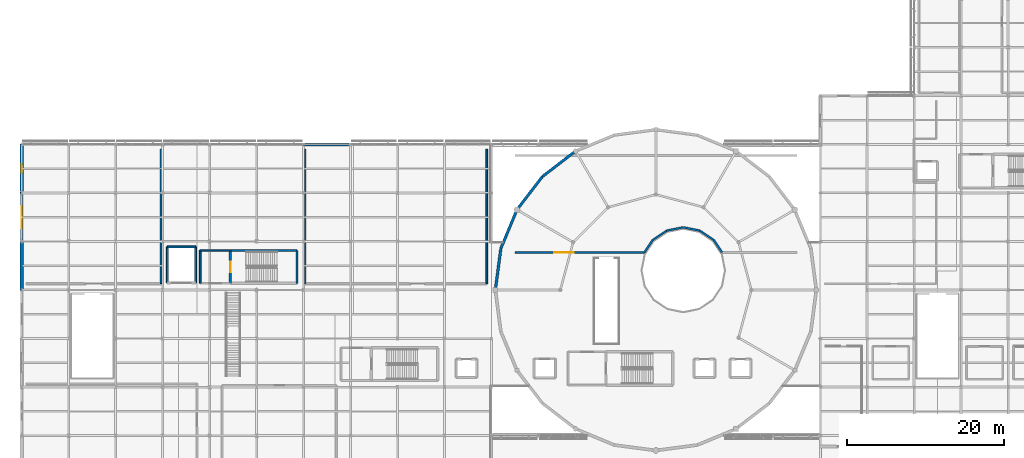
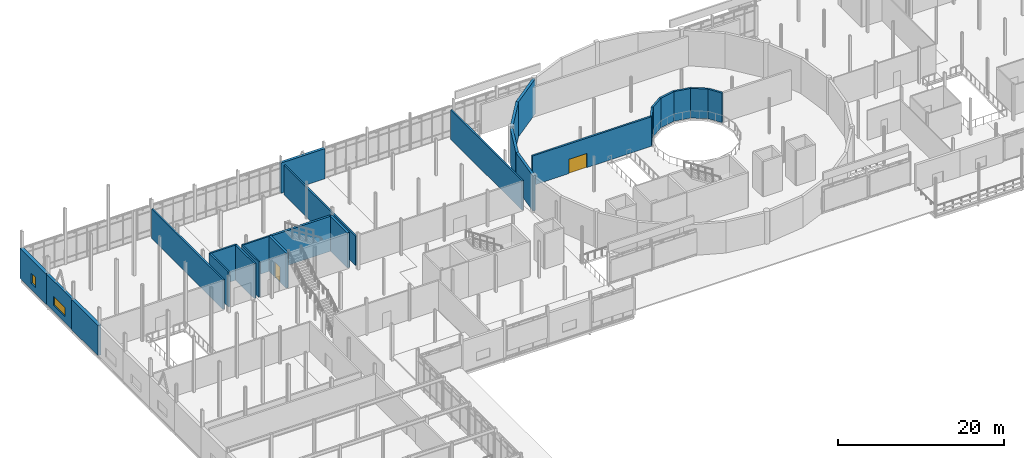
# One storey, part 69 of 105: 26 walls, 2 doors, 2 windows, 4 openings.
"""IFC4 building model written with IfcOpenShell, lengths in metres."""

from ifc_helpers import new_model, si_unit, direction, frame, frame_2d, origin, place, context, subcontext, project, spatial, rectangle, extrude, material, layer, layer_set, type_object, element, fill, save


model = new_model("IFC4")

# Units and contexts
model_context = context("Model", 3, precision=1e-05, world=origin(), true_north=direction((0.0, 1.0)))
body_context = subcontext(model_context, "Body", "Model", "MODEL_VIEW")
ifc_project = project(units=[si_unit("LENGTHUNIT", "METRE"), si_unit("AREAUNIT", "SQUARE_METRE"), si_unit("VOLUMEUNIT", "CUBIC_METRE"), si_unit("PLANEANGLEUNIT", "RADIAN"), si_unit("MASSUNIT", "GRAM", prefix="KILO")], contexts=[model_context])

# Site, building, storey
site_placement = place(None, origin())
site = spatial("IfcSite", under=ifc_project, at=site_placement, CompositionType="ELEMENT")
building_placement = place(site_placement, origin())
building = spatial("IfcBuilding", under=site, at=building_placement, Name="Mirzam Square Science Centre", CompositionType="ELEMENT")
storey_placement = place(building_placement, frame((0.0, 0.0, 5.39990234375)))
storey = spatial("IfcBuildingStorey", under=building, at=storey_placement, Name="L01", CompositionType="ELEMENT", Elevation=5.39990234375)

# Wall
ifc_material_1 = material(Name="Concrete C45/55", Category="concrete")
ifc_layer_1 = layer(ifc_material_1, 0.300048828125)
ifc_layer_set_1 = layer_set([ifc_layer_1], Name="W-CORE-300")
wall_type_1 = type_object("IfcWallType", Name="W-CORE-300", PredefinedType="SHEAR", material=ifc_layer_set_1)
wall_1_placement = place(storey_placement, frame((35.159912109375, 67.050048828125, 0.0), z_axis=(0.0, 0.0, 1.0), x_axis=(-1.0, 0.0, 0.0)))
element("IfcWall", 1, at=wall_1_placement, inside=storey, type_object=wall_type_1, Name="L01 CORE-2 north wall", PredefinedType="SHEAR", context=body_context, shape_type="SweptSolid", body=[
    extrude(rectangle(XDim=8.52001953125, YDim=0.300048828125, at=frame_2d((4.260009765625, 0.0))), origin(), (0.0, 0.0, 1.0), 5.150146484375),
])

# Wall, opening, door
wall_2_placement = place(storey_placement, frame((26.639892578125, 67.050048828125, 0.0), z_axis=(0.0, 0.0, 1.0), x_axis=(0.0, -1.0, 0.0)))
wall_2 = element("IfcWall", 2, at=wall_2_placement, inside=storey, type_object=wall_type_1, Name="L01 CORE-2 west wall", PredefinedType="SHEAR", context=body_context, shape_type="SweptSolid", body=[
    extrude(rectangle(XDim=4.2099609375, YDim=0.300048828125, at=frame_2d((2.10498046875, 0.0))), origin(), (0.0, 0.0, 1.0), 5.150146484375),
])
opening_1_placement = place(wall_2_placement, frame((1.429931640625, 0.0, 0.0)))
opening_1 = element("IfcOpeningElement", 3, at=opening_1_placement, cuts=wall_2, Name="Opening DS-01", PredefinedType="OPENING", context=body_context, shape_type="SweptSolid", body=[
    extrude(rectangle(XDim=1.35009765625, YDim=2.199951171875, at=frame_2d((0.675048828125, 1.10009765625))), frame((0.0, 0.159912109375, 0.0), z_axis=(0.0, -1.0, 0.0), x_axis=(1.0, 0.0, 0.0)), (0.0, 0.0, 1.0), 0.320068359375),
])
ifc_material_2 = material(Name="Fire-Rated Powder-Coated Architectural Steel Door", Category="steel")
door_type_1 = type_object("IfcDoorType", Name="DR-STAIR-1350x2200", OperationType="NOTDEFINED", PredefinedType="DOOR", material=ifc_material_2)
door_1_placement = place(opening_1_placement, origin())
door_1 = element("IfcDoor", 4, at=door_1_placement, inside=storey, type_object=door_type_1, Name="DRS-2-L01", OperationType="SINGLE_SWING_RIGHT", OverallHeight=2.199951171875, OverallWidth=1.35009765625, PredefinedType="DOOR", context=body_context, shape_type="SweptSolid", body=[
    extrude(rectangle(XDim=1.35009765625, YDim=2.199951171875, at=frame_2d((0.675048828125, 1.10009765625))), frame((0.0, 0.02490234375, 0.0), z_axis=(0.0, -1.0, 0.0), x_axis=(1.0, 0.0, 0.0)), (0.0, 0.0, 1.0), 0.050048828125),
])
fill(opening_1, door_1)

# Walls
wall_3_placement = place(storey_placement, frame((35.159912109375, 62.840087890625, 0.0), z_axis=(0.0, 0.0, 1.0), x_axis=(0.0, 1.0, 0.0)))
element("IfcWall", 5, at=wall_3_placement, inside=storey, type_object=wall_type_1, Name="L01 CORE-2 east wall", PredefinedType="SHEAR", context=body_context, shape_type="SweptSolid", body=[
    extrude(rectangle(XDim=4.2099609375, YDim=0.300048828125, at=frame_2d((2.10498046875, 0.0))), origin(), (0.0, 0.0, 1.0), 5.150146484375),
])
ifc_layer_2 = layer(ifc_material_1, 0.35009765625)
ifc_layer_set_2 = layer_set([ifc_layer_2], Name="W-DRUM-350")
wall_type_2 = type_object("IfcWallType", Name="W-DRUM-350", PredefinedType="SHEAR", material=ifc_layer_set_2)
for number, where, z_axis, x_axis, name in (
    (6, (70.75, 79.75341796875, 0.0), (0.0, 0.0, 1.0), (-0.793349293227, -0.60876670321, 0.0), "L01 planetarium drum wall 09"),
    (7, (66.50439453125, 76.49560546875, 0.0), (0.0, 0.0, 1.0), (-0.60876670321, -0.793349293227, 0.0), "L01 planetarium drum wall 10"),
    (8, (63.24658203125, 72.25, 0.0), (0.0, 0.0, 1.0), (-0.382713071139, -0.923867255172, 0.0), "L01 planetarium drum wall 11"),
):
    element("IfcWall", number, at=place(storey_placement, frame(where, z_axis=z_axis, x_axis=x_axis)), inside=storey, type_object=wall_type_2, Name=name, PredefinedType="SHEAR", context=body_context, shape_type="SweptSolid", body=[
        extrude(rectangle(XDim=5.3515625, YDim=0.35009765625, at=frame_2d((2.67578125, 0.0))), origin(), (0.0, 0.0, 1.0), 5.150146484375),
    ])
wall_4_placement = place(storey_placement, frame((61.198486328125, 67.305908203125, 0.0), z_axis=(0.0, 0.0, 1.0), x_axis=(-0.130517056518, -0.991446064069, 0.0)))
element("IfcWall", 9, at=wall_4_placement, inside=storey, type_object=wall_type_2, Name="L01 planetarium drum wall 12", PredefinedType="SHEAR", context=body_context, shape_type="SweptSolid", body=[
    extrude(rectangle(XDim=5.351806640625, YDim=0.35009765625, at=frame_2d((2.67578125, 0.0))), origin(), (0.0, 0.0, 1.0), 5.150146484375),
])
ifc_material_3 = material(Name="Honed Qatari Limestone Concrete C40/50", Category="masonry")
ifc_layer_3 = layer(ifc_material_3, 0.449951171875)
ifc_layer_set_3 = layer_set([ifc_layer_3], Name="W-EXT-LIME-450")
wall_type_3 = type_object("IfcWallType", Name="W-EXT-LIME-450", PredefinedType="SOLIDWALL", material=ifc_layer_set_3)
wall_5_placement = place(storey_placement, frame((0.0, 68.27490234375, 0.0), z_axis=(0.0, 0.0, 1.0), x_axis=(0.0, -1.0, 0.0)))
element("IfcWall", 10, at=wall_5_placement, inside=storey, type_object=wall_type_3, Name="L01 external wall EW-WDG-W-L01-11", PredefinedType="SOLIDWALL", context=body_context, shape_type="SweptSolid", body=[
    extrude(rectangle(XDim=6.349853515625, YDim=0.449951171875, at=frame_2d((3.1748046875, 0.0))), origin(), (0.0, 0.0, 1.0), 4.440185546875),
])

# Wall, opening, window
wall_6_placement = place(storey_placement, frame((0.0, 80.675048828125, 0.0), z_axis=(0.0, 0.0, 1.0), x_axis=(0.0, -1.0, 0.0)))
wall_6 = element("IfcWall", 11, at=wall_6_placement, inside=storey, type_object=wall_type_3, Name="L01 external wall EW-WDG-W-L01-13", PredefinedType="SOLIDWALL", context=body_context, shape_type="SweptSolid", body=[
    extrude(rectangle(XDim=6.35009765625, YDim=0.449951171875, at=frame_2d((3.175048828125, 0.0))), origin(), (0.0, 0.0, 1.0), 4.440185546875),
])
opening_2_placement = place(wall_6_placement, frame((2.625, 0.0, 0.89990234375)))
opening_2 = element("IfcOpeningElement", 12, at=opening_2_placement, cuts=wall_6, Name="Opening W-12", PredefinedType="OPENING", context=body_context, shape_type="SweptSolid", body=[
    extrude(rectangle(XDim=1.10009765625, YDim=1.5, at=frame_2d((0.550048828125, 0.75))), frame((0.0, 0.23486328125, 0.0), z_axis=(0.0, -1.0, 0.0), x_axis=(1.0, 0.0, 0.0)), (0.0, 0.0, 1.0), 0.469970703125),
])
ifc_material_4 = material(Name="Thermally Broken Bronze Aluminium and Low-E Glass", Category="aluminium")
window_type_1 = type_object("IfcWindowType", Name="WIN-1100x1500", PartitioningType="SINGLE_PANEL", PredefinedType="WINDOW", material=ifc_material_4)
window_1_placement = place(opening_2_placement, origin())
window_1 = element("IfcWindow", 13, at=window_1_placement, inside=storey, type_object=window_type_1, Name="L01 solar window 012", OverallHeight=1.5, OverallWidth=1.10009765625, PartitioningType="SINGLE_PANEL", PredefinedType="WINDOW", context=body_context, shape_type="SweptSolid", body=[
    extrude(rectangle(XDim=1.10009765625, YDim=1.5, at=frame_2d((0.550048828125, 0.75))), frame((0.0, 0.030029296875, 0.0), z_axis=(0.0, -1.0, 0.0), x_axis=(1.0, 0.0, 0.0)), (0.0, 0.0, 1.0), 0.06005859375),
])
fill(opening_2, window_1)

# Wall
ifc_material_5 = material(Name="Standing-Seam Zinc-Clad Concrete Backup C40/50", Category="concrete")
ifc_layer_4 = layer(ifc_material_5, 0.35009765625)
ifc_layer_set_4 = layer_set([ifc_layer_4], Name="W-EXT-METAL-350")
wall_type_4 = type_object("IfcWallType", Name="W-EXT-METAL-350", PredefinedType="SOLIDWALL", material=ifc_layer_set_4)
wall_7_placement = place(storey_placement, frame((42.074951171875, 80.60009765625, 0.0), z_axis=(0.0, 0.0, 1.0), x_axis=(-1.0, 0.0, 0.0)))
element("IfcWall", 14, at=wall_7_placement, inside=storey, type_object=wall_type_4, Name="L01 external wall EW-WDG-N-L01-07", PredefinedType="SOLIDWALL", context=body_context, shape_type="SweptSolid", body=[
    extrude(rectangle(XDim=6.14990234375, YDim=0.35009765625, at=frame_2d((3.074951171875, 0.0))), origin(), (0.0, 0.0, 1.0), 4.440185546875),
])

# Wall, opening, window
wall_8_placement = place(storey_placement, frame((0.0, 74.47509765625, 0.0), z_axis=(0.0, 0.0, 1.0), x_axis=(0.0, -1.0, 0.0)))
wall_8 = element("IfcWall", 15, at=wall_8_placement, inside=storey, type_object=wall_type_4, Name="L01 external wall EW-WDG-W-L01-12", PredefinedType="SOLIDWALL", context=body_context, shape_type="SweptSolid", body=[
    extrude(rectangle(XDim=6.35009765625, YDim=0.35009765625, at=frame_2d((3.175048828125, 0.0))), origin(), (0.0, 0.0, 1.0), 4.440185546875),
])
opening_3_placement = place(wall_8_placement, frame((1.77490234375, 0.0, 0.89990234375)))
opening_3 = element("IfcOpeningElement", 16, at=opening_3_placement, cuts=wall_8, Name="Opening W-11", PredefinedType="OPENING", context=body_context, shape_type="SweptSolid", body=[
    extrude(rectangle(XDim=2.800048828125, YDim=1.300048828125, at=frame_2d((1.39990234375, 0.64990234375))), frame((0.0, 0.18505859375, 0.0), z_axis=(0.0, -1.0, 0.0), x_axis=(1.0, 0.0, 0.0)), (0.0, 0.0, 1.0), 0.3701171875),
])
window_type_2 = type_object("IfcWindowType", Name="WIN-2800x1300", PartitioningType="DOUBLE_PANEL_VERTICAL", PredefinedType="WINDOW", material=ifc_material_4)
window_2_placement = place(opening_3_placement, origin())
window_2 = element("IfcWindow", 17, at=window_2_placement, inside=storey, type_object=window_type_2, Name="L01 solar window 011", OverallHeight=1.300048828125, OverallWidth=2.800048828125, PartitioningType="DOUBLE_PANEL_VERTICAL", PredefinedType="WINDOW", context=body_context, shape_type="SweptSolid", body=[
    extrude(rectangle(XDim=2.800048828125, YDim=1.300048828125, at=frame_2d((1.39990234375, 0.64990234375))), frame((0.0, 0.030029296875, 0.0), z_axis=(0.0, -1.0, 0.0), x_axis=(1.0, 0.0, 0.0)), (0.0, 0.0, 1.0), 0.06005859375),
])
fill(opening_3, window_2)

# Walls
ifc_layer_5 = layer(ifc_material_1, 0.199951171875)
ifc_layer_set_5 = layer_set([ifc_layer_5], Name="W-LOBBY-200")
wall_type_5 = type_object("IfcWallType", Name="W-LOBBY-200", PredefinedType="SHEAR", material=ifc_layer_set_5)
wall_9_placement = place(storey_placement, frame((26.639892578125, 67.050048828125, 0.0), z_axis=(0.0, 0.0, 1.0), x_axis=(-1.0, 0.0, 0.0)))
element("IfcWall", 18, at=wall_9_placement, inside=storey, type_object=wall_type_5, Name="L01 CORE-2 lobby north wall", PredefinedType="SHEAR", context=body_context, shape_type="SweptSolid", body=[
    extrude(rectangle(XDim=3.83984375, YDim=0.199951171875, at=frame_2d((1.919921875, 0.0))), origin(), (0.0, 0.0, 1.0), 5.150146484375),
])
wall_10_placement = place(storey_placement, frame((22.800048828125, 67.050048828125, 0.0), z_axis=(0.0, 0.0, 1.0), x_axis=(0.0, -1.0, 0.0)))
element("IfcWall", 19, at=wall_10_placement, inside=storey, type_object=wall_type_5, Name="L01 CORE-2 lobby west wall", PredefinedType="SHEAR", context=body_context, shape_type="SweptSolid", body=[
    extrude(rectangle(XDim=4.2099609375, YDim=0.199951171875, at=frame_2d((2.10498046875, 0.0))), origin(), (0.0, 0.0, 1.0), 5.150146484375),
])
ifc_material_6 = material(Name="Chemical Prep Fire Partition Concrete C30/37", Category="concrete")
ifc_layer_6 = layer(ifc_material_6, 0.215087890625)
ifc_layer_set_6 = layer_set([ifc_layer_6], Name="W-PART-215")
wall_type_6 = type_object("IfcWallType", Name="W-PART-215", PredefinedType="PARTITIONING", material=ifc_layer_set_6)
for number, where, z_axis, x_axis, name in (
    (20, (59.39990234375, 80.0, 0.0), (0.0, 0.0, 1.0), (0.0, -1.0, 0.0), "L01 Optics and Acoustics Exhibition Hall 3 partition 117"),
    (21, (36.199951171875, 62.800048828125, 0.0), (0.0, 0.0, 1.0), (0.0, 1.0, 0.0), "L01 Optics and Acoustics Exhibition Hall 3 partition 119"),
):
    element("IfcWall", number, at=place(storey_placement, frame(where, z_axis=z_axis, x_axis=x_axis)), inside=storey, type_object=wall_type_6, Name=name, PredefinedType="PARTITIONING", context=body_context, shape_type="SweptSolid", body=[
        extrude(rectangle(XDim=17.199951171875, YDim=0.215087890625, at=frame_2d((8.60009765625, 0.0))), origin(), (0.0, 0.0, 1.0), 4.35009765625),
    ])
ifc_material_7 = material(Name="Gallery Display Backing Wall Concrete C30/37", Category="concrete")
ifc_layer_7 = layer(ifc_material_7, 0.22998046875)
ifc_layer_set_7 = layer_set([ifc_layer_7], Name="W-PART-230")
wall_type_7 = type_object("IfcWallType", Name="W-PART-230", PredefinedType="PARTITIONING", material=ifc_layer_set_7)
wall_11_placement = place(storey_placement, frame((17.800048828125, 80.0, 0.0), z_axis=(0.0, 0.0, 1.0), x_axis=(0.0, -1.0, 0.0)))
element("IfcWall", 22, at=wall_11_placement, inside=storey, type_object=wall_type_7, Name="L01 Fluid Dynamics Hands-On Gallery partition 120", PredefinedType="PARTITIONING", context=body_context, shape_type="SweptSolid", body=[
    extrude(rectangle(XDim=17.199951171875, YDim=0.22998046875, at=frame_2d((8.60009765625, 0.0))), origin(), (0.0, 0.0, 1.0), 4.35009765625),
])
ifc_material_8 = material(Name="Theatre Acoustic Isolation Wall Concrete C35/45", Category="concrete")
ifc_layer_8 = layer(ifc_material_8, 0.260009765625)
ifc_layer_set_8 = layer_set([ifc_layer_8], Name="W-PART-260")
wall_type_8 = type_object("IfcWallType", Name="W-PART-260", PredefinedType="PARTITIONING", material=ifc_layer_set_8)
wall_12_placement = place(storey_placement, frame((89.450927734375, 66.800048828125, 0.0), z_axis=(0.0, 0.0, 1.0), x_axis=(-0.555554799655, 0.83147992434, 0.0)))
element("IfcWall", 23, at=wall_12_placement, inside=storey, type_object=wall_type_8, Name="L01 Planetarium Pre-Show Exhibition Gallery partition 127", PredefinedType="PARTITIONING", context=body_context, shape_type="SweptSolid", body=[
    extrude(rectangle(XDim=1.9111328125, YDim=0.260009765625, at=frame_2d((0.95556640625, 0.0))), origin(), (0.0, 0.0, 1.0), 4.35009765625),
])
for number, where, z_axis, x_axis, name in (
    (24, (88.38916015625, 68.38916015625, 0.0), (0.0, 0.0, 1.0), (-0.831507325461, 0.555513787142, 0.0), "L01 Planetarium Pre-Show Exhibition Gallery partition 128"),
    (25, (86.604736328125, 69.581298828125, 0.0), (0.0, 0.0, 1.0), (-0.980781438528, 0.195109635434, 0.0), "L01 Planetarium Pre-Show Exhibition Gallery partition 129"),
    (26, (84.5, 70.0, 0.0), (0.0, 0.0, 1.0), (-0.980781438528, -0.195109635434, 0.0), "L01 Planetarium Pre-Show Exhibition Gallery partition 130"),
    (27, (82.395263671875, 69.581298828125, 0.0), (0.0, 0.0, 1.0), (-0.831507325461, -0.555513787142, 0.0), "L01 Planetarium Pre-Show Exhibition Gallery partition 131"),
):
    element("IfcWall", number, at=place(storey_placement, frame(where, z_axis=z_axis, x_axis=x_axis)), inside=storey, type_object=wall_type_8, Name=name, PredefinedType="PARTITIONING", context=body_context, shape_type="SweptSolid", body=[
        extrude(rectangle(XDim=2.14599609375, YDim=0.260009765625, at=frame_2d((1.072998046875, 0.0))), origin(), (0.0, 0.0, 1.0), 4.35009765625),
    ])
wall_13_placement = place(storey_placement, frame((80.61083984375, 68.38916015625, 0.0), z_axis=(0.0, 0.0, 1.0), x_axis=(-0.555554799655, -0.83147992434, 0.0)))
element("IfcWall", 28, at=wall_13_placement, inside=storey, type_object=wall_type_8, Name="L01 Planetarium Pre-Show Exhibition Gallery partition 132", PredefinedType="PARTITIONING", context=body_context, shape_type="SweptSolid", body=[
    extrude(rectangle(XDim=1.9111328125, YDim=0.260009765625, at=frame_2d((0.95556640625, 0.0))), origin(), (0.0, 0.0, 1.0), 4.35009765625),
])

# Wall, opening, door
wall_14_placement = place(storey_placement, frame((79.549072265625, 66.800048828125, 0.0), z_axis=(0.0, 0.0, 1.0), x_axis=(-1.0, 0.0, 0.0)))
wall_14 = element("IfcWall", 29, at=wall_14_placement, inside=storey, type_object=wall_type_8, Name="L01 Planetarium Pre-Show Exhibition Gallery partition 133", PredefinedType="PARTITIONING", context=body_context, shape_type="SweptSolid", body=[
    extrude(rectangle(XDim=16.549072265625, YDim=0.260009765625, at=frame_2d((8.2744140625, 0.0))), origin(), (0.0, 0.0, 1.0), 4.35009765625),
])
opening_4_placement = place(wall_14_placement, frame((9.010498046875, 0.0, 0.0)))
opening_4 = element("IfcOpeningElement", 30, at=opening_4_placement, cuts=wall_14, Name="Opening D-12", PredefinedType="OPENING", context=body_context, shape_type="SweptSolid", body=[
    extrude(rectangle(XDim=2.5, YDim=2.10009765625, at=frame_2d((1.25, 1.050048828125))), frame((0.0, 0.139892578125, 0.0), z_axis=(0.0, -1.0, 0.0), x_axis=(1.0, 0.0, 0.0)), (0.0, 0.0, 1.0), 0.280029296875),
])
ifc_material_9 = material(Name="Powder-Coated Architectural Steel Acoustic Door", Category="steel")
door_type_2 = type_object("IfcDoorType", Name="DR-INT-2500x2100", OperationType="DOUBLE_DOOR_SINGLE_SWING", PredefinedType="DOOR", material=ifc_material_9)
door_2_placement = place(opening_4_placement, origin())
door_2 = element("IfcDoor", 31, at=door_2_placement, inside=storey, type_object=door_type_2, Name="ID-L01-0035", OperationType="DOUBLE_DOOR_SINGLE_SWING", OverallHeight=2.10009765625, OverallWidth=2.5, PredefinedType="DOOR", context=body_context, shape_type="SweptSolid", body=[
    extrude(rectangle(XDim=2.5, YDim=2.10009765625, at=frame_2d((1.25, 1.050048828125))), frame((0.0, 0.02490234375, 0.0), z_axis=(0.0, -1.0, 0.0), x_axis=(1.0, 0.0, 0.0)), (0.0, 0.0, 1.0), 0.050048828125),
])
fill(opening_4, door_2)

# Walls
ifc_layer_9 = layer(ifc_material_1, 0.25)
ifc_layer_set_9 = layer_set([ifc_layer_9], Name="W-SHAFT-250")
wall_type_9 = type_object("IfcWallType", Name="W-SHAFT-250", PredefinedType="SHEAR", material=ifc_layer_set_9)
wall_15_placement = place(storey_placement, frame((22.199951171875, 67.5, 0.0), z_axis=(0.0, 0.0, 1.0), x_axis=(-1.0, 0.0, 0.0)))
element("IfcWall", 32, at=wall_15_placement, inside=storey, type_object=wall_type_9, Name="L01 lift LG-01 shaft wall N", PredefinedType="SHEAR", context=body_context, shape_type="SweptSolid", body=[
    extrude(rectangle(XDim=3.599853515625, YDim=0.25, at=frame_2d((1.7998046875, 0.0))), origin(), (0.0, 0.0, 1.0), 5.150146484375),
])
for number, where, z_axis, x_axis, name in (
    (33, (18.60009765625, 67.5, 0.0), (0.0, 0.0, 1.0), (0.0, -1.0, 0.0), "L01 lift LG-01 shaft wall W"),
    (34, (22.199951171875, 62.89990234375, 0.0), (0.0, 0.0, 1.0), (0.0, 1.0, 0.0), "L01 lift LG-01 shaft wall E"),
):
    element("IfcWall", number, at=place(storey_placement, frame(where, z_axis=z_axis, x_axis=x_axis)), inside=storey, type_object=wall_type_9, Name=name, PredefinedType="SHEAR", context=body_context, shape_type="SweptSolid", body=[
        extrude(rectangle(XDim=4.60009765625, YDim=0.25, at=frame_2d((2.300048828125, 0.0))), origin(), (0.0, 0.0, 1.0), 5.150146484375),
    ])

save(model, "model.ifc")
